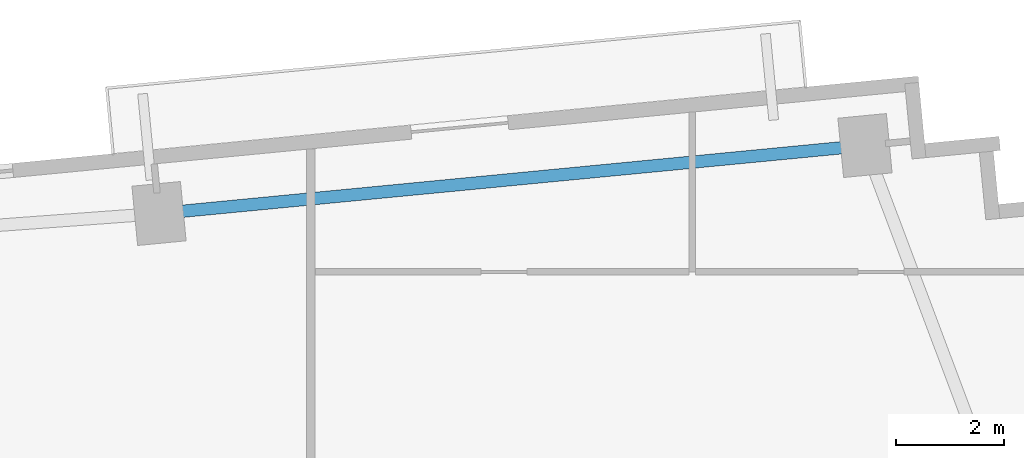
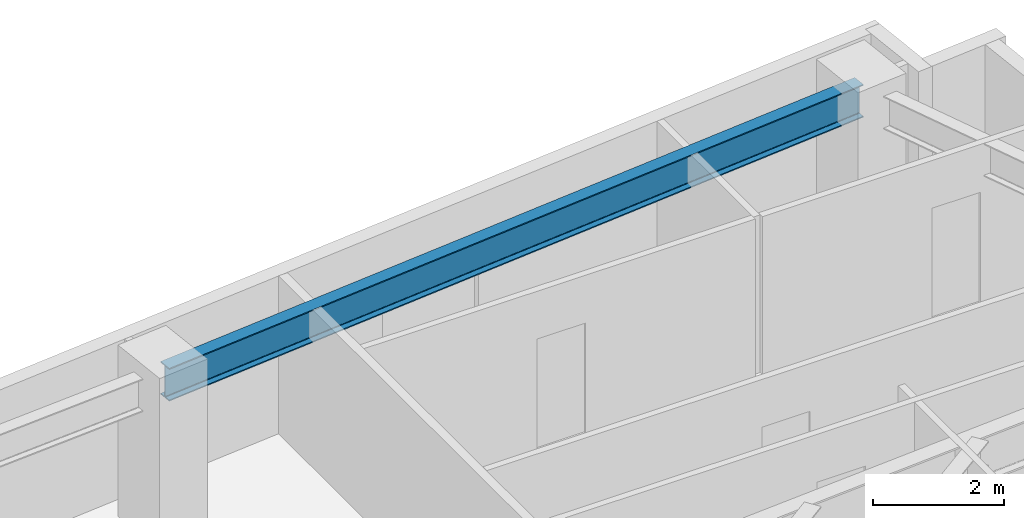
# One storey, part 16 of 25: 1 beam.
"""IFC4 building model written with IfcOpenShell, lengths in metres."""

from ifc_helpers import new_model, si_unit, direction, frame, origin, origin_2d, place, context, subcontext, project, spatial, i_section, extrude, source, transform, mapped, material, material_profile, profile_set, type_object, type_shapes, element, save


model = new_model("IFC4")

# Units and contexts
model_context = context("Model", 3, precision=1e-05, world=origin(), true_north=direction((0.0, 1.0)))
body_context = subcontext(model_context, "Body", "Model", "MODEL_VIEW")
ifc_project = project(units=[si_unit("LENGTHUNIT", "METRE"), si_unit("AREAUNIT", "SQUARE_METRE"), si_unit("VOLUMEUNIT", "CUBIC_METRE"), si_unit("PLANEANGLEUNIT", "RADIAN"), si_unit("MASSUNIT", "GRAM", prefix="KILO")], contexts=[model_context])

# Site, building, storey
site_placement = place(None, origin())
site = spatial("IfcSite", under=ifc_project, at=site_placement, CompositionType="ELEMENT")
building_placement = place(site_placement, origin())
building = spatial("IfcBuilding", under=site, at=building_placement, Name="Astriad Promenade Condominiums", CompositionType="ELEMENT")
storey_placement = place(building_placement, frame((0.0, 0.0, 81.0)))
storey = spatial("IfcBuildingStorey", under=building, at=storey_placement, Name="L22", CompositionType="ELEMENT", Elevation=81.0)

# Beam
ifc_material = material(Name="Steel ASTM A992 Grade 50", Category="steel")
ifc_material_profile = material_profile(ifc_material, i_section(OverallWidth=0.22900390625, OverallDepth=0.612060546875, WebThickness=0.011962890625, FlangeThickness=0.01953125, FilletRadius=0.017822265625, at=origin_2d()), Name="W24X84")
ifc_profile_set = profile_set([ifc_material_profile], Name="Steel ASTM A992 Grade 50")
beam_type = type_object("IfcBeamType", Name="STEEL SPANDREL BEAM W24X84", PredefinedType="SPANDREL", material=ifc_profile_set)
shared_shape = source(origin(), body_context, "Body", "SweptSolid", [
    extrude(i_section(OverallWidth=0.22900390625, OverallDepth=0.612060546875, WebThickness=0.011962890625, FlangeThickness=0.01953125, FilletRadius=0.017822265625, at=origin_2d()), origin(), (0.0, 0.0, 1.0), 13.020263671875),
])
type_shapes(beam_type, [shared_shape])
beam_placement = place(storey_placement, frame((64.394287109375, 27.5869140625, 2.6337890625), z_axis=(-0.995395311238, -0.095854965264, 0.0), x_axis=(0.095854965264, -0.995395311238, 0.0)))
element("IfcBeam", 1, at=beam_placement, inside=storey, type_object=beam_type, Name="Perimeter Spandrel Beam SP-N4-L22", PredefinedType="SPANDREL", context=body_context, shape_type="MappedRepresentation", body=[
    mapped(shared_shape, transform((0.0, 0.0, 0.0), scale=1.0)),
])

save(model, "model.ifc")
